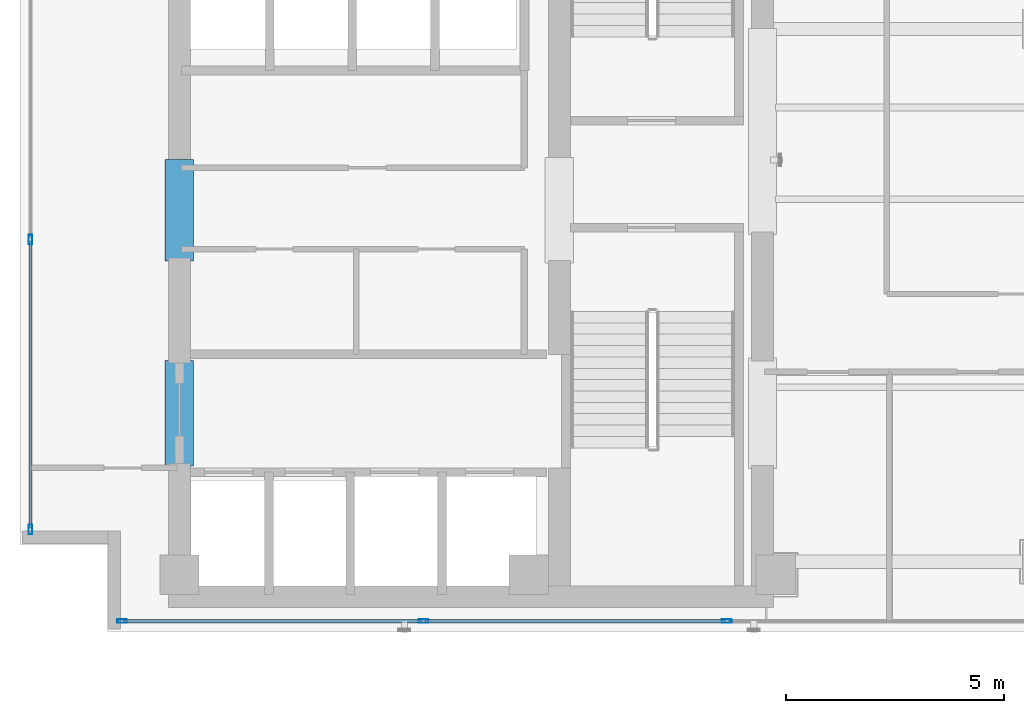
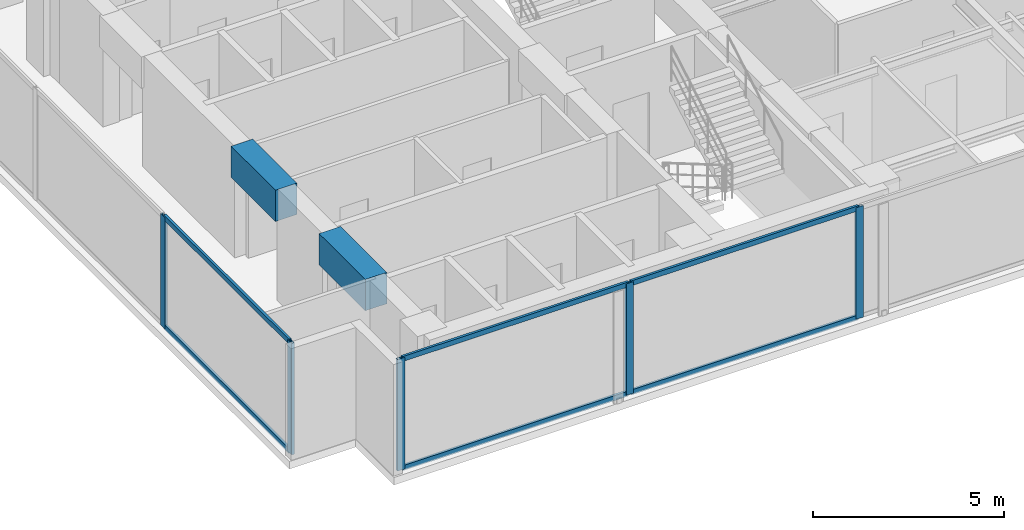
# One storey, part 2 of 23: 11 members, 2 beams, 2 elements without a shape of their own.
"""IFC4 building model written with IfcOpenShell, lengths in metres."""

from ifc_helpers import new_model, si_unit, direction, frame, origin, origin_with_axes, origin_2d, place, context, subcontext, project, spatial, rectangle, hollow_rectangle, extrude, source, transform, mapped, material, layer, layer_set, material_profile, profile_set, type_object, element, aggregate, save


model = new_model("IFC4")

# Units and contexts
model_context = context("Model", 3, precision=1e-05, world=origin(), true_north=direction((0.0, 1.0)))
body_context = subcontext(model_context, "Body", "Model", "MODEL_VIEW")
ifc_project = project(units=[si_unit("LENGTHUNIT", "METRE"), si_unit("AREAUNIT", "SQUARE_METRE"), si_unit("VOLUMEUNIT", "CUBIC_METRE"), si_unit("PLANEANGLEUNIT", "RADIAN"), si_unit("MASSUNIT", "GRAM", prefix="KILO")], contexts=[model_context])

# Site, building, storey
site_placement = place(None, origin())
site = spatial("IfcSite", under=ifc_project, at=site_placement, CompositionType="ELEMENT")
building_placement = place(site_placement, origin())
building = spatial("IfcBuilding", under=site, at=building_placement, Name="Kolvaren Waterfront Exchange", CompositionType="ELEMENT")
storey_placement = place(building_placement, frame((0.0, 0.0, 319.800048828125)))
storey = spatial("IfcBuildingStorey", under=building, at=storey_placement, Name="L82", CompositionType="ELEMENT", Elevation=319.800048828125)

# Beams
ifc_material_1 = material(Name="Concrete C60/75", Category="concrete")
ifc_material_profile_1 = material_profile(ifc_material_1, rectangle(XDim=0.64990234375, YDim=1.0, at=origin_2d()), Name="RC-CB-1000x650")
ifc_profile_set_1 = profile_set([ifc_material_profile_1], Name="Concrete C60/75")
beam_type = type_object("IfcBeamType", Name="STR-CB-1000", PredefinedType="SPANDREL", material=ifc_profile_set_1)
beam_1_placement = place(storey_placement, frame((7.449951171875, 7.389892578125, 3.06005859375), z_axis=(0.0, 1.0, 0.0), x_axis=(-1.0, 0.0, 0.0)))
element("IfcBeam", 1, at=beam_1_placement, inside=storey, type_object=beam_type, Name="L82 core coupling beam 3", PredefinedType="SPANDREL", context=body_context, shape_type="SweptSolid", body=[
    extrude(rectangle(XDim=0.64990234375, YDim=1.0, at=origin_2d()), origin(), (0.0, 0.0, 1.0), 2.420166015625),
])
beam_2_placement = place(storey_placement, frame((7.449951171875, 12.090087890625, 3.06005859375), z_axis=(0.0, 1.0, 0.0), x_axis=(-1.0, 0.0, 0.0)))
element("IfcBeam", 2, at=beam_2_placement, inside=storey, type_object=beam_type, Name="L82 core coupling beam 4", PredefinedType="SPANDREL", context=body_context, shape_type="SweptSolid", body=[
    extrude(rectangle(XDim=0.64990234375, YDim=1.0, at=origin_2d()), origin(), (0.0, 0.0, 1.0), 2.31982421875),
])

# Curtain wall, members
ifc_material_2 = material(Name="Anodised bronze aluminium 6063-T6", Category="aluminium")
ifc_layer_1 = layer(ifc_material_2, 0.219970703125, Name="Anodised bronze aluminium 6063-T6")
ifc_layer_set_1 = layer_set([ifc_layer_1], Name="Anodised bronze aluminium 6063-T6")
curtain_wall_type_1 = type_object("IfcCurtainWallType", Name="ARC-CW-SYS1", PredefinedType="USERDEFINED", material=ifc_layer_set_1)
curtain_wall_1_placement = place(storey_placement, origin())
curtain_wall_1 = element("IfcCurtainWall", 3, at=curtain_wall_1_placement, inside=storey, type_object=curtain_wall_type_1, Name="L82 stick curtain wall CW1 (CW-L82-S)", ObjectType="STICK CURTAIN WALL", PredefinedType="USERDEFINED")
ifc_material_3 = material(Name="Anodised aluminium 6063-T6", Category="aluminium")
ifc_material_profile_2 = material_profile(ifc_material_3, hollow_rectangle(XDim=0.080078125, YDim=0.219970703125, WallThickness=0.0048828125, at=origin_2d()), Name="ALU-MUL-220x80x5")
ifc_profile_set_2 = profile_set([ifc_material_profile_2], Name="Anodised aluminium 6063-T6")
member_type_1 = type_object("IfcMemberType", Name="ARC-CWM-220", PredefinedType="MULLION", material=ifc_profile_set_2)
shared_shape_1 = source(origin_with_axes(), body_context, "Body", "SweptSolid", [
    extrude(hollow_rectangle(XDim=0.080078125, YDim=0.219970703125, WallThickness=0.0048828125, at=origin_2d()), origin(), (0.0, 0.0, 1.0), 3.56005859375),
])
member_1_placement = place(storey_placement, frame((6.139892578125, 3.840087890625, 0.0), z_axis=(0.0, 0.0, 1.0), x_axis=(0.0, 1.0, 0.0)))
member_1 = element("IfcMember", 4, at=member_1_placement, type_object=member_type_1, Name="CW1 mullion 1", PredefinedType="MULLION", context=body_context, shape_type="MappedRepresentation", body=[
    mapped(shared_shape_1, transform((0.0, 0.0, 0.0), x_axis=(1.0, 0.0, 0.0), y_axis=(0.0, 1.0, 0.0), z_axis=(0.0, 0.0, 1.0), scale=1.0)),
])
member_2_placement = place(storey_placement, frame((13.041259765625, 3.840087890625, 0.0), z_axis=(0.0, 0.0, 1.0), x_axis=(0.0, 1.0, 0.0)))
member_2 = element("IfcMember", 5, at=member_2_placement, type_object=member_type_1, Name="CW1 mullion 2", PredefinedType="MULLION", context=body_context, shape_type="MappedRepresentation", body=[
    mapped(shared_shape_1, transform((0.0, 0.0, 0.0), x_axis=(1.0, 0.0, 0.0), y_axis=(0.0, 1.0, 0.0), z_axis=(0.0, 0.0, 1.0), scale=1.0)),
])
member_3_placement = place(storey_placement, frame((19.982421875, 3.840087890625, 0.0), z_axis=(0.0, 0.0, 1.0), x_axis=(0.0, 1.0, 0.0)))
member_3 = element("IfcMember", 6, at=member_3_placement, type_object=member_type_1, Name="CW1 mullion 3", PredefinedType="MULLION", context=body_context, shape_type="MappedRepresentation", body=[
    mapped(shared_shape_1, transform((0.0, 0.0, 0.0), x_axis=(1.0, 0.0, 0.0), y_axis=(0.0, 1.0, 0.0), z_axis=(0.0, 0.0, 1.0), scale=1.0)),
])

ifc_layer_2 = layer(ifc_material_3, 0.219970703125, Name="Anodised aluminium 6063-T6")
ifc_layer_set_2 = layer_set([ifc_layer_2], Name="Anodised aluminium 6063-T6")
curtain_wall_type_2 = type_object("IfcCurtainWallType", Name="ARC-CW-SYS2", PredefinedType="USERDEFINED", material=ifc_layer_set_2)
curtain_wall_2_placement = place(storey_placement, origin())
curtain_wall_2 = element("IfcCurtainWall", 7, at=curtain_wall_2_placement, inside=storey, type_object=curtain_wall_type_2, Name="L82 stick curtain wall CW2 (CW-L82-W)", ObjectType="STICK CURTAIN WALL", PredefinedType="USERDEFINED")
member_4_placement = place(storey_placement, frame((4.0400390625, 5.93994140625, 0.0), z_axis=(0.0, 0.0, 1.0), x_axis=(-1.0, 0.0, 0.0)))
member_4 = element("IfcMember", 8, at=member_4_placement, type_object=member_type_1, Name="CW2 mullion 1", PredefinedType="MULLION", context=body_context, shape_type="MappedRepresentation", body=[
    mapped(shared_shape_1, transform((0.0, 0.0, 0.0), x_axis=(1.0, 0.0, 0.0), y_axis=(0.0, 1.0, 0.0), z_axis=(0.0, 0.0, 1.0), scale=1.0)),
])
member_5_placement = place(storey_placement, frame((4.0400390625, 12.574462890625, 0.0), z_axis=(0.0, 0.0, 1.0), x_axis=(-1.0, 0.0, 0.0)))
member_5 = element("IfcMember", 9, at=member_5_placement, type_object=member_type_1, Name="CW2 mullion 2", PredefinedType="MULLION", context=body_context, shape_type="MappedRepresentation", body=[
    mapped(shared_shape_1, transform((0.0, 0.0, 0.0), x_axis=(1.0, 0.0, 0.0), y_axis=(0.0, 1.0, 0.0), z_axis=(0.0, 0.0, 1.0), scale=1.0)),
])

# Member
ifc_material_profile_3 = material_profile(ifc_material_3, hollow_rectangle(XDim=0.074951171875, YDim=0.159912109375, WallThickness=0.00439453125, at=origin_2d()), Name="ALU-TRN-160x75x4.5")
ifc_profile_set_3 = profile_set([ifc_material_profile_3], Name="Anodised aluminium 6063-T6")
member_type_2 = type_object("IfcMemberType", Name="ARC-CWT-160", PredefinedType="USERDEFINED", material=ifc_profile_set_3)
shared_shape_2 = source(origin_with_axes(), body_context, "Body", "SweptSolid", [
    extrude(hollow_rectangle(XDim=0.074951171875, YDim=0.159912109375, WallThickness=0.00439453125, at=origin_2d()), origin(), (0.0, 0.0, 1.0), 6.8212890625),
])
member_6_placement = place(storey_placement, frame((6.179931640625, 3.840087890625, 0.037353515625), z_axis=(1.0, 0.0, 0.0), x_axis=(0.0, 1.0, 0.0)))
member_6 = element("IfcMember", 10, at=member_6_placement, type_object=member_type_2, Name="CW1 transom 1.1", ObjectType="TRANSOM", PredefinedType="USERDEFINED", context=body_context, shape_type="MappedRepresentation", body=[
    mapped(shared_shape_2, transform((0.0, 0.0, 0.0), x_axis=(1.0, 0.0, 0.0), y_axis=(0.0, 1.0, 0.0), z_axis=(0.0, 0.0, 1.0), scale=1.0)),
])

member_7_placement = place(storey_placement, frame((6.179931640625, 3.840087890625, 3.5224609375), z_axis=(1.0, 0.0, 0.0), x_axis=(0.0, 1.0, 0.0)))
member_7 = element("IfcMember", 11, at=member_7_placement, type_object=member_type_2, Name="CW1 transom 1.2", ObjectType="TRANSOM", PredefinedType="USERDEFINED", context=body_context, shape_type="MappedRepresentation", body=[
    mapped(shared_shape_2, transform((0.0, 0.0, 0.0), x_axis=(1.0, 0.0, 0.0), y_axis=(0.0, 1.0, 0.0), z_axis=(0.0, 0.0, 1.0), scale=1.0)),
])

shared_shape_3 = source(origin_with_axes(), body_context, "Body", "SweptSolid", [
    extrude(hollow_rectangle(XDim=0.074951171875, YDim=0.159912109375, WallThickness=0.00439453125, at=origin_2d()), origin(), (0.0, 0.0, 1.0), 6.861083984375),
])
member_8_placement = place(storey_placement, frame((13.081298828125, 3.840087890625, 0.037353515625), z_axis=(1.0, 0.0, 0.0), x_axis=(0.0, 1.0, 0.0)))
member_8 = element("IfcMember", 12, at=member_8_placement, type_object=member_type_2, Name="CW1 transom 2.1", ObjectType="TRANSOM", PredefinedType="USERDEFINED", context=body_context, shape_type="MappedRepresentation", body=[
    mapped(shared_shape_3, transform((0.0, 0.0, 0.0), x_axis=(1.0, 0.0, 0.0), y_axis=(0.0, 1.0, 0.0), z_axis=(0.0, 0.0, 1.0), scale=1.0)),
])

member_9_placement = place(storey_placement, frame((13.081298828125, 3.840087890625, 3.5224609375), z_axis=(1.0, 0.0, 0.0), x_axis=(0.0, 1.0, 0.0)))
member_9 = element("IfcMember", 13, at=member_9_placement, type_object=member_type_2, Name="CW1 transom 2.2", ObjectType="TRANSOM", PredefinedType="USERDEFINED", context=body_context, shape_type="MappedRepresentation", body=[
    mapped(shared_shape_3, transform((0.0, 0.0, 0.0), x_axis=(1.0, 0.0, 0.0), y_axis=(0.0, 1.0, 0.0), z_axis=(0.0, 0.0, 1.0), scale=1.0)),
])

aggregate(curtain_wall_1, [member_1, member_2, member_3, member_6, member_7, member_8, member_9])

shared_shape_4 = source(origin_with_axes(), body_context, "Body", "SweptSolid", [
    extrude(hollow_rectangle(XDim=0.074951171875, YDim=0.159912109375, WallThickness=0.00439453125, at=origin_2d()), origin(), (0.0, 0.0, 1.0), 6.5546875),
])
member_10_placement = place(storey_placement, frame((4.0400390625, 5.97998046875, 0.037353515625), z_axis=(0.0, 1.0, 0.0), x_axis=(-1.0, 0.0, 0.0)))
member_10 = element("IfcMember", 14, at=member_10_placement, type_object=member_type_2, Name="CW2 transom 1.1", ObjectType="TRANSOM", PredefinedType="USERDEFINED", context=body_context, shape_type="MappedRepresentation", body=[
    mapped(shared_shape_4, transform((0.0, 0.0, 0.0), x_axis=(1.0, 0.0, 0.0), y_axis=(0.0, 1.0, 0.0), z_axis=(0.0, 0.0, 1.0), scale=1.0)),
])

member_11_placement = place(storey_placement, frame((4.0400390625, 5.97998046875, 3.5224609375), z_axis=(0.0, 1.0, 0.0), x_axis=(-1.0, 0.0, 0.0)))
member_11 = element("IfcMember", 15, at=member_11_placement, type_object=member_type_2, Name="CW2 transom 1.2", ObjectType="TRANSOM", PredefinedType="USERDEFINED", context=body_context, shape_type="MappedRepresentation", body=[
    mapped(shared_shape_4, transform((0.0, 0.0, 0.0), x_axis=(1.0, 0.0, 0.0), y_axis=(0.0, 1.0, 0.0), z_axis=(0.0, 0.0, 1.0), scale=1.0)),
])

aggregate(curtain_wall_2, [member_4, member_5, member_10, member_11])

save(model, "model.ifc")
